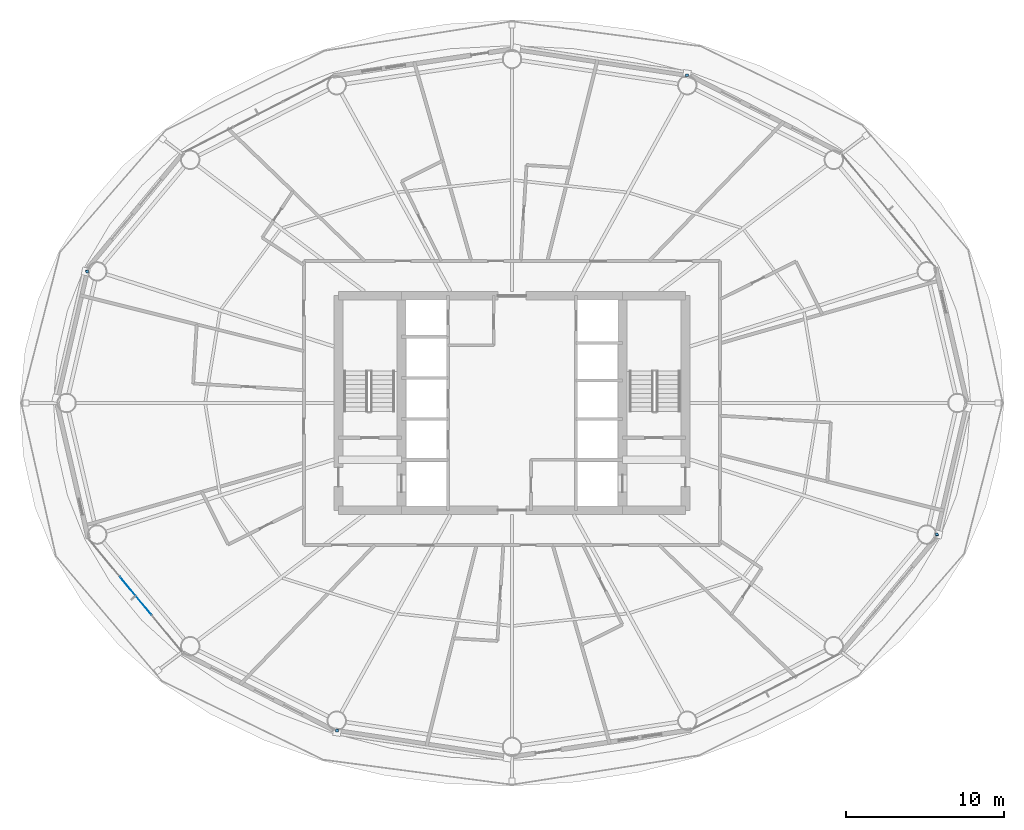
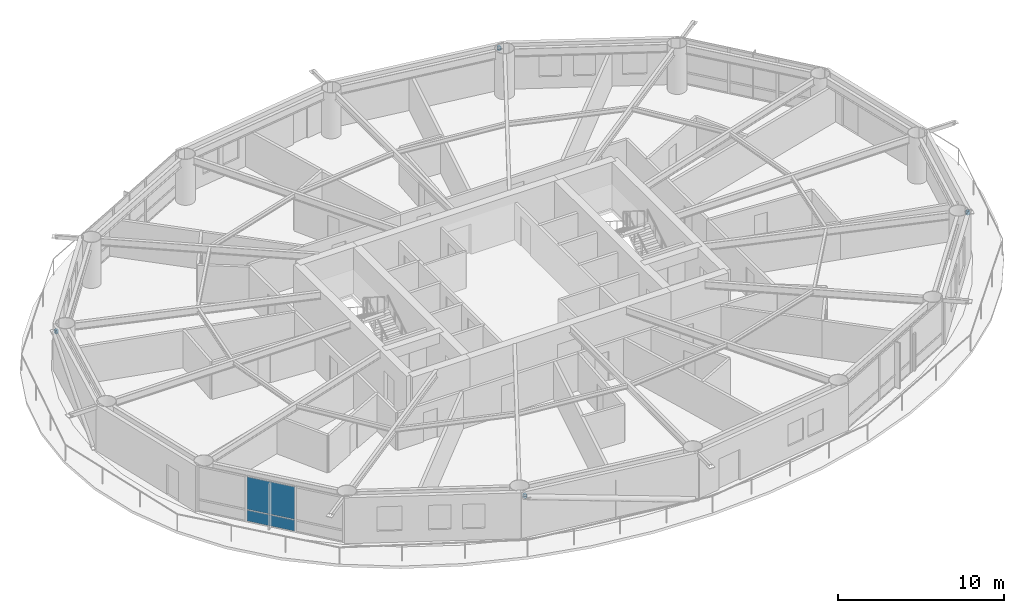
# One storey, part 13 of 24: 4 members, 2 plates, 1 element without a shape of its own.
"""IFC4 building model written with IfcOpenShell, lengths in metres."""

from ifc_helpers import new_model, si_unit, direction, frame, origin, origin_2d, place, context, subcontext, project, spatial, rectangle, hollow_rectangle, extrude, material, layer, layer_set, material_profile, profile_set, type_object, element, aggregate, save


model = new_model("IFC4")

# Units and contexts
model_context = context("Model", 3, precision=1e-05, world=origin(), true_north=direction((0.0, 1.0)))
body_context = subcontext(model_context, "Body", "Model", "MODEL_VIEW")
ifc_project = project(units=[si_unit("LENGTHUNIT", "METRE"), si_unit("AREAUNIT", "SQUARE_METRE"), si_unit("VOLUMEUNIT", "CUBIC_METRE"), si_unit("PLANEANGLEUNIT", "RADIAN"), si_unit("MASSUNIT", "GRAM", prefix="KILO")], contexts=[model_context])

# Site, building, storey
site_placement = place(None, origin())
site = spatial("IfcSite", under=ifc_project, at=site_placement, CompositionType="ELEMENT")
building_placement = place(site_placement, origin())
building = spatial("IfcBuilding", under=site, at=building_placement, Name="Sarneth Arch Tower", CompositionType="ELEMENT")
storey_placement = place(building_placement, frame((0.0, 0.0, 102.0)))
storey = spatial("IfcBuildingStorey", under=building, at=storey_placement, Name="L25", CompositionType="ELEMENT", Elevation=102.0)

# Members
ifc_material_1 = material(Name="Steel S355", Category="steel")
ifc_material_profile = material_profile(ifc_material_1, hollow_rectangle(XDim=0.199951171875, YDim=0.300048828125, WallThickness=0.012451171875, InnerFilletRadius=0.018798828125, OuterFilletRadius=0.03125, at=origin_2d()), Name="RHS300x200x12.5")
ifc_profile_set = profile_set([ifc_material_profile], Name="Steel S355")
member_type = type_object("IfcMemberType", Name="MEM-CANT-STRUT", PredefinedType="STRUT", material=ifc_profile_set)
member_1_placement = place(storey_placement, frame((59.09716796875, 62.680419921875, 3.0126953125), z_axis=(-0.024515790152, 0.999699442849, 0.0), x_axis=(-0.999699442849, -0.024515790152, 0.0)))
element("IfcMember", 1, at=member_1_placement, inside=storey, type_object=member_type, Name="L25 Exoskeleton brace node strut 04B", PredefinedType="STRUT", context=body_context, shape_type="SweptSolid", body=[
    extrude(hollow_rectangle(XDim=0.199951171875, YDim=0.300048828125, WallThickness=0.012451171875, InnerFilletRadius=0.018798828125, OuterFilletRadius=0.03125, at=origin_2d()), origin(), (0.0, 0.0, 1.0), 0.17919921875),
])
member_2_placement = place(storey_placement, frame((21.1689453125, 50.3330078125, 3.0126953125), z_axis=(-0.999835606602, -0.018131733798, 0.0), x_axis=(0.018131733798, -0.999835606602, 0.0)))
element("IfcMember", 2, at=member_2_placement, inside=storey, type_object=member_type, Name="L25 Exoskeleton brace node strut 08B", PredefinedType="STRUT", context=body_context, shape_type="SweptSolid", body=[
    extrude(hollow_rectangle(XDim=0.199951171875, YDim=0.300048828125, WallThickness=0.012451171875, InnerFilletRadius=0.018798828125, OuterFilletRadius=0.03125, at=origin_2d()), origin(), (0.0, 0.0, 1.0), 0.1884765625),
])
member_3_placement = place(storey_placement, frame((36.90283203125, 21.319580078125, 3.0126953125), z_axis=(0.024515790152, -0.999699442849, 0.0), x_axis=(0.999699442849, 0.024515790152, 0.0)))
element("IfcMember", 3, at=member_3_placement, inside=storey, type_object=member_type, Name="L25 Exoskeleton brace node strut 12B", PredefinedType="STRUT", context=body_context, shape_type="SweptSolid", body=[
    extrude(hollow_rectangle(XDim=0.199951171875, YDim=0.300048828125, WallThickness=0.012451171875, InnerFilletRadius=0.018798828125, OuterFilletRadius=0.03125, at=origin_2d()), origin(), (0.0, 0.0, 1.0), 0.17919921875),
])
member_4_placement = place(storey_placement, frame((74.8310546875, 33.6669921875, 3.0126953125), z_axis=(0.999835606602, 0.018131733798, 0.0), x_axis=(-0.018131733798, 0.999835606602, 0.0)))
element("IfcMember", 4, at=member_4_placement, inside=storey, type_object=member_type, Name="L25 Exoskeleton brace node strut 16B", PredefinedType="STRUT", context=body_context, shape_type="SweptSolid", body=[
    extrude(hollow_rectangle(XDim=0.199951171875, YDim=0.300048828125, WallThickness=0.012451171875, InnerFilletRadius=0.018798828125, OuterFilletRadius=0.03125, at=origin_2d()), origin(), (0.0, 0.0, 1.0), 0.1884765625),
])

# Curtain wall, plates
ifc_material_2 = material(Name="Anodised aluminium Type AA25 and solar-control low-e laminated IGU", Category="aluminium")
ifc_layer_1 = layer(ifc_material_2, 0.159912109375)
ifc_layer_set_1 = layer_set([ifc_layer_1], Name="Anodised aluminium Type AA25 and solar-control low-e laminated IGU")
curtain_wall_type = type_object("IfcCurtainWallType", Name="CW-HOTEL-MID", PredefinedType="NOTDEFINED", material=ifc_layer_set_1)
curtain_wall_placement = place(storey_placement, origin())
curtain_wall = element("IfcCurtainWall", 5, at=curtain_wall_placement, inside=storey, type_object=curtain_wall_type, Name="L25 Unitised curtain wall facet 10", PredefinedType="NOTDEFINED")
ifc_material_3 = material(Name="Solar-control low-e laminated IGU", Category="glass")
ifc_layer_2 = layer(ifc_material_3, 0.028076171875)
ifc_layer_set_2 = layer_set([ifc_layer_2], Name="Solar-control low-e laminated IGU")
plate_type = type_object("IfcPlateType", Name="CW-PANEL", PredefinedType="CURTAIN_PANEL", material=ifc_layer_set_2)
plate_1_placement = place(storey_placement, frame((24.1494140625, 29.778076171875, 0.06005859375), z_axis=(0.0, 0.0, 1.0), x_axis=(0.637515188684, -0.770437787363, 0.0)))
plate_1 = element("IfcPlate", 6, at=plate_1_placement, type_object=plate_type, Name="Curtain wall glazed vision pane CW-L25-F10/P01-00", PredefinedType="CURTAIN_PANEL", context=body_context, shape_type="SweptSolid", body=[
    extrude(rectangle(XDim=3.08837890625, YDim=0.028076171875, at=origin_2d()), origin(), (0.0, 0.0, 1.0), 0.81005859375),
])
plate_2_placement = place(storey_placement, frame((24.1494140625, 29.778076171875, 0.93017578125), z_axis=(0.0, 0.0, 1.0), x_axis=(0.637515188684, -0.770437787363, 0.0)))
plate_2 = element("IfcPlate", 7, at=plate_2_placement, type_object=plate_type, Name="Curtain wall glazed vision pane CW-L25-F10/P01-01", PredefinedType="CURTAIN_PANEL", context=body_context, shape_type="SweptSolid", body=[
    extrude(rectangle(XDim=3.08837890625, YDim=0.028076171875, at=origin_2d()), origin(), (0.0, 0.0, 1.0), 2.389892578125),
])
aggregate(curtain_wall, [plate_1, plate_2])

save(model, "model.ifc")
